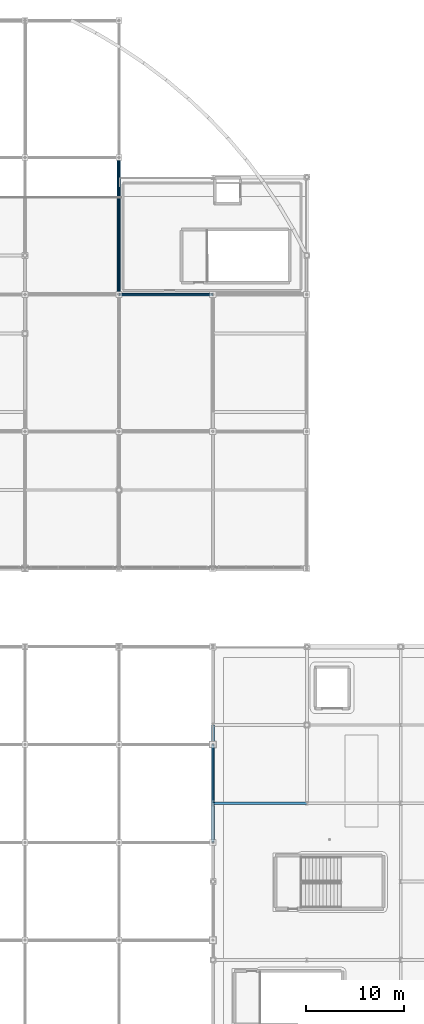
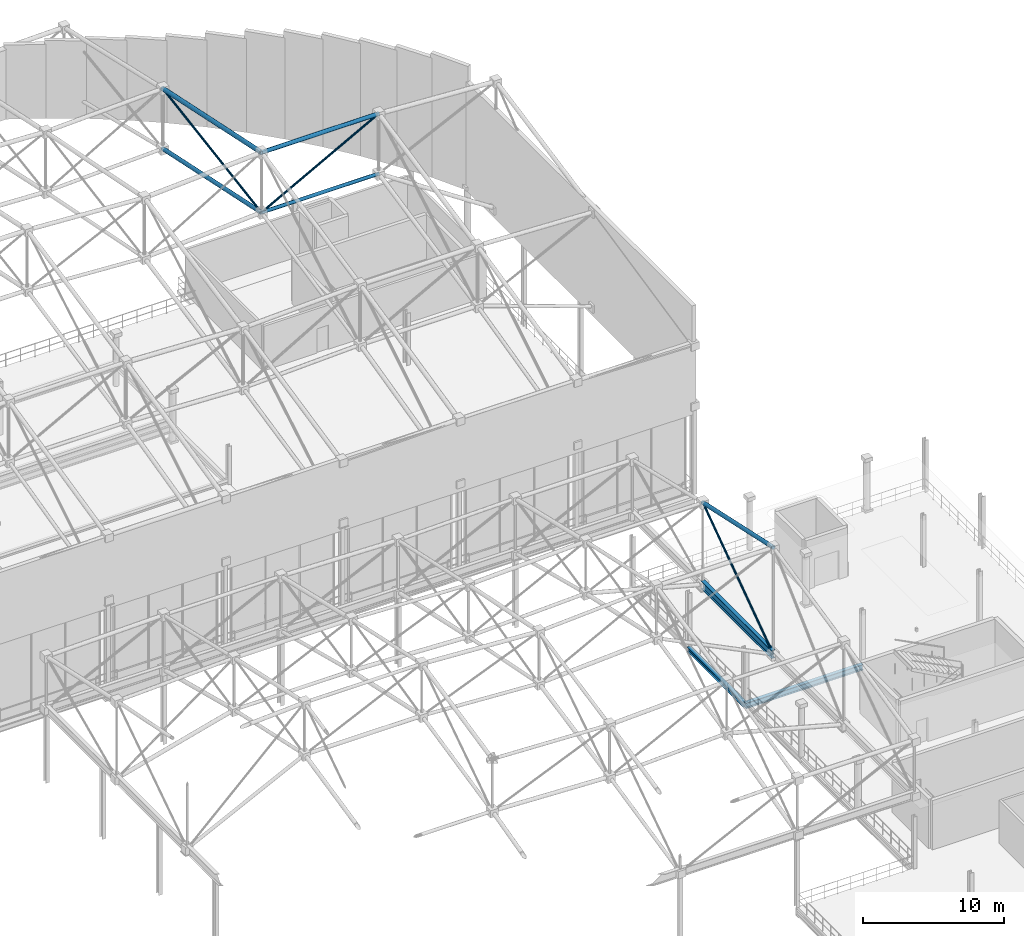
# One storey, part 112 of 193: 8 members, 3 beams.
"""IFC4 building model written with IfcOpenShell, lengths in metres."""

from ifc_helpers import new_model, si_unit, direction, frame, origin, origin_2d, place, context, subcontext, project, spatial, hollow_circle, i_section, extrude, material, material_profile, profile_set, type_object, element, save


model = new_model("IFC4")

# Units and contexts
model_context = context("Model", 3, precision=1e-05, world=origin(), true_north=direction((0.0, 1.0)))
body_context = subcontext(model_context, "Body", "Model", "MODEL_VIEW")
ifc_project = project(units=[si_unit("LENGTHUNIT", "METRE"), si_unit("AREAUNIT", "SQUARE_METRE"), si_unit("VOLUMEUNIT", "CUBIC_METRE"), si_unit("PLANEANGLEUNIT", "RADIAN"), si_unit("MASSUNIT", "GRAM", prefix="KILO")], contexts=[model_context])

# Site, building, storey
site_placement = place(None, origin())
site = spatial("IfcSite", under=ifc_project, at=site_placement, CompositionType="ELEMENT")
building_placement = place(site_placement, origin())
building = spatial("IfcBuilding", under=site, at=building_placement, Name="Danafjord Basin Convention Centre", CompositionType="ELEMENT")
storey_placement = place(building_placement, frame((0.0, 0.0, 11.39990234375)))
storey = spatial("IfcBuildingStorey", under=building, at=storey_placement, Name="L02", CompositionType="ELEMENT", Elevation=11.39990234375)

# Beams
ifc_material = material(Name="Steel S355", Category="steel")
ifc_material_profile_1 = material_profile(ifc_material, i_section(OverallWidth=0.300048828125, OverallDepth=0.489990234375, WebThickness=0.011962890625, FlangeThickness=0.02294921875, FilletRadius=0.027099609375, at=origin_2d()), Name="HEA 500")
ifc_profile_set_1 = profile_set([ifc_material_profile_1], Name="Steel S355")
beam_type_1 = type_object("IfcBeamType", Name="BEAM-BM-HEA500", PredefinedType="BEAM", material=ifc_profile_set_1)
beam_1_placement = place(storey_placement, frame((192.0, 64.0, -0.474853515625), z_axis=(1.0, 0.0, 0.0), x_axis=(0.0, 1.0, 0.0)))
element("IfcBeam", 1, at=beam_1_placement, inside=storey, type_object=beam_type_1, Name="L02 girder BM-HEA500", PredefinedType="BEAM", context=body_context, shape_type="SweptSolid", body=[
    extrude(i_section(OverallWidth=0.300048828125, OverallDepth=0.489990234375, WebThickness=0.011962890625, FlangeThickness=0.02294921875, FilletRadius=0.027099609375, at=origin_2d()), origin(), (0.0, 0.0, 1.0), 9.60009765625),
])
ifc_material_profile_2 = material_profile(ifc_material, i_section(OverallWidth=0.300048828125, OverallDepth=0.699951171875, WebThickness=0.01708984375, FlangeThickness=0.031982421875, FilletRadius=0.027099609375, at=origin_2d()), Name="HEB 700")
ifc_profile_set_2 = profile_set([ifc_material_profile_2], Name="Steel S355")
beam_type_2 = type_object("IfcBeamType", Name="BEAM-BM-HEB700", PredefinedType="BEAM", material=ifc_profile_set_2)
beam_2_placement = place(storey_placement, frame((192.0, 60.0, 6.35009765625), z_axis=(0.0, 1.0, 0.0), x_axis=(-1.0, 0.0, 0.0)))
element("IfcBeam", 2, at=beam_2_placement, inside=storey, type_object=beam_type_2, Name="V3 space-frame perimeter ring girder", PredefinedType="BEAM", context=body_context, shape_type="SweptSolid", body=[
    extrude(i_section(OverallWidth=0.300048828125, OverallDepth=0.699951171875, WebThickness=0.01708984375, FlangeThickness=0.031982421875, FilletRadius=0.027099609375, at=origin_2d()), origin(), (0.0, 0.0, 1.0), 10.0),
])
ifc_material_profile_3 = material_profile(ifc_material, i_section(OverallWidth=0.300048828125, OverallDepth=0.39990234375, WebThickness=0.013427734375, FlangeThickness=0.02392578125, FilletRadius=0.027099609375, at=origin_2d()), Name="HEB 400")
ifc_profile_set_3 = profile_set([ifc_material_profile_3], Name="Steel S355")
beam_type_3 = type_object("IfcBeamType", Name="BEAM-SP-HEB400", PredefinedType="SPANDREL", material=ifc_profile_set_3)
beam_3_placement = place(storey_placement, frame((192.0, 64.0, -0.429931640625), z_axis=(0.0, 1.0, 0.0), x_axis=(-1.0, 0.0, 0.0)))
element("IfcBeam", 3, at=beam_3_placement, inside=storey, type_object=beam_type_3, Name="L02 transverse girder SP-HEB400", PredefinedType="SPANDREL", context=body_context, shape_type="SweptSolid", body=[
    extrude(i_section(OverallWidth=0.300048828125, OverallDepth=0.39990234375, WebThickness=0.013427734375, FlangeThickness=0.02392578125, FilletRadius=0.027099609375, at=origin_2d()), origin(), (0.0, 0.0, 1.0), 8.0),
])

# Members
ifc_material_profile_4 = material_profile(ifc_material, hollow_circle(Radius=0.136474609375, WallThickness=0.012451171875, at=origin_2d()), Name="CHS 273.0x12.5")
ifc_profile_set_4 = profile_set([ifc_material_profile_4], Name="Steel S355")
member_type_1 = type_object("IfcMemberType", Name="MEM-CH-CHS273", PredefinedType="CHORD", material=ifc_profile_set_4)
member_1_placement = place(storey_placement, frame((182.39990234375, 116.0, 14.0126953125), z_axis=(1.0, 0.0, 0.0), x_axis=(0.0, 1.0, 0.0)))
element("IfcMember", 4, at=member_1_placement, inside=storey, type_object=member_type_1, Name="V2 roof truss longitudinal bottom chord", PredefinedType="CHORD", context=body_context, shape_type="SweptSolid", body=[
    extrude(hollow_circle(Radius=0.136474609375, WallThickness=0.012451171875, at=origin_2d()), origin(), (0.0, 0.0, 1.0), 9.60009765625),
])
ifc_material_profile_5 = material_profile(ifc_material, hollow_circle(Radius=0.161865234375, WallThickness=0.01611328125, at=origin_2d()), Name="CHS 323.9x16.0")
ifc_profile_set_5 = profile_set([ifc_material_profile_5], Name="Steel S355")
member_type_2 = type_object("IfcMemberType", Name="MEM-CH-CHS324", PredefinedType="CHORD", material=ifc_profile_set_5)
member_2_placement = place(storey_placement, frame((182.39990234375, 116.0, 19.212646484375), z_axis=(1.0, 0.0, 0.0), x_axis=(0.0, 1.0, 0.0)))
element("IfcMember", 5, at=member_2_placement, inside=storey, type_object=member_type_2, Name="V2 roof truss longitudinal top chord", PredefinedType="CHORD", context=body_context, shape_type="SweptSolid", body=[
    extrude(hollow_circle(Radius=0.161865234375, WallThickness=0.01611328125, at=origin_2d()), origin(), (0.0, 0.0, 1.0), 9.60009765625),
])
member_3_placement = place(storey_placement, frame((182.39990234375, 116.0, 14.0126953125), z_axis=(0.0, 0.978472048473, -0.206379384526), x_axis=(-1.0, 0.0, 0.0)))
element("IfcMember", 6, at=member_3_placement, inside=storey, type_object=member_type_2, Name="V2 roof truss transverse bottom chord", PredefinedType="CHORD", context=body_context, shape_type="SweptSolid", body=[
    extrude(hollow_circle(Radius=0.161865234375, WallThickness=0.01611328125, at=origin_2d()), origin(), (0.0, 0.0, 1.0), 14.30810546875),
])
member_4_placement = place(storey_placement, frame((192.0, 60.0, 15.612548828125), z_axis=(0.0, 0.976959730358, -0.213423722345), x_axis=(-1.0, 0.0, 0.0)))
element("IfcMember", 7, at=member_4_placement, inside=storey, type_object=member_type_2, Name="V3 roof truss transverse top chord", PredefinedType="CHORD", context=body_context, shape_type="SweptSolid", body=[
    extrude(hollow_circle(Radius=0.161865234375, WallThickness=0.01611328125, at=origin_2d()), origin(), (0.0, 0.0, 1.0), 10.23583984375),
])
ifc_material_profile_6 = material_profile(ifc_material, hollow_circle(Radius=0.177734375, WallThickness=0.01611328125, at=origin_2d()), Name="CHS 355.6x16.0")
ifc_profile_set_6 = profile_set([ifc_material_profile_6], Name="Steel S355")
member_type_3 = type_object("IfcMemberType", Name="MEM-CH-CHS355", PredefinedType="CHORD", material=ifc_profile_set_6)
member_5_placement = place(storey_placement, frame((182.39990234375, 116.0, 19.212646484375), z_axis=(0.0, 0.978472048473, -0.206379384526), x_axis=(-1.0, 0.0, 0.0)))
element("IfcMember", 8, at=member_5_placement, inside=storey, type_object=member_type_3, Name="V2 roof truss transverse top chord", PredefinedType="CHORD", context=body_context, shape_type="SweptSolid", body=[
    extrude(hollow_circle(Radius=0.177734375, WallThickness=0.01611328125, at=origin_2d()), origin(), (0.0, 0.0, 1.0), 14.30810546875),
])
ifc_material_profile_7 = material_profile(ifc_material, hollow_circle(Radius=0.084228515625, WallThickness=0.008056640625, at=origin_2d()), Name="CHS 168.3x8.0")
ifc_profile_set_7 = profile_set([ifc_material_profile_7], Name="Steel S355")
member_type_4 = type_object("IfcMemberType", Name="MEM-WB-CHS168", PredefinedType="MEMBER", material=ifc_profile_set_7)
member_6_placement = place(storey_placement, frame((182.39990234375, 116.0, 14.0126953125), z_axis=(0.879295868501, 0.0, 0.476275944845), x_axis=(0.0, 1.0, 0.0)))
element("IfcMember", 9, at=member_6_placement, inside=storey, type_object=member_type_4, Name="V2 space-frame longitudinal web", PredefinedType="MEMBER", context=body_context, shape_type="SweptSolid", body=[
    extrude(hollow_circle(Radius=0.084228515625, WallThickness=0.008056640625, at=origin_2d()), origin(), (0.0, 0.0, 1.0), 10.91796875),
])
member_7_placement = place(storey_placement, frame((182.39990234375, 116.0, 14.0126953125), z_axis=(0.0, 0.987362721236, 0.158476675611), x_axis=(-1.0, 0.0, 0.0)))
element("IfcMember", 10, at=member_7_placement, inside=storey, type_object=member_type_4, Name="V2 space-frame transverse web", PredefinedType="MEMBER", context=body_context, shape_type="SweptSolid", body=[
    extrude(hollow_circle(Radius=0.084228515625, WallThickness=0.008056640625, at=origin_2d()), origin(), (0.0, 0.0, 1.0), 14.17919921875),
])
member_8_placement = place(storey_placement, frame((192.0, 60.0, 6.35009765625), z_axis=(0.0, 0.816234346661, 0.5777209459), x_axis=(-1.0, 0.0, 0.0)))
element("IfcMember", 11, at=member_8_placement, inside=storey, type_object=member_type_4, Name="V3 space-frame transverse web", PredefinedType="MEMBER", context=body_context, shape_type="SweptSolid", body=[
    extrude(hollow_circle(Radius=0.084228515625, WallThickness=0.008056640625, at=origin_2d()), origin(), (0.0, 0.0, 1.0), 12.25146484375),
])

save(model, "model.ifc")
